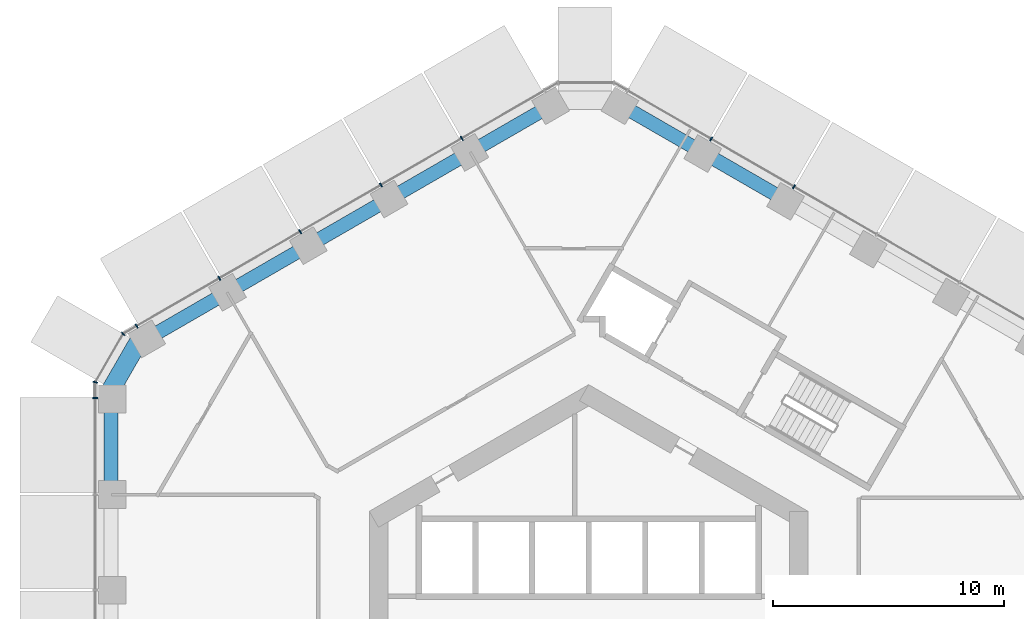
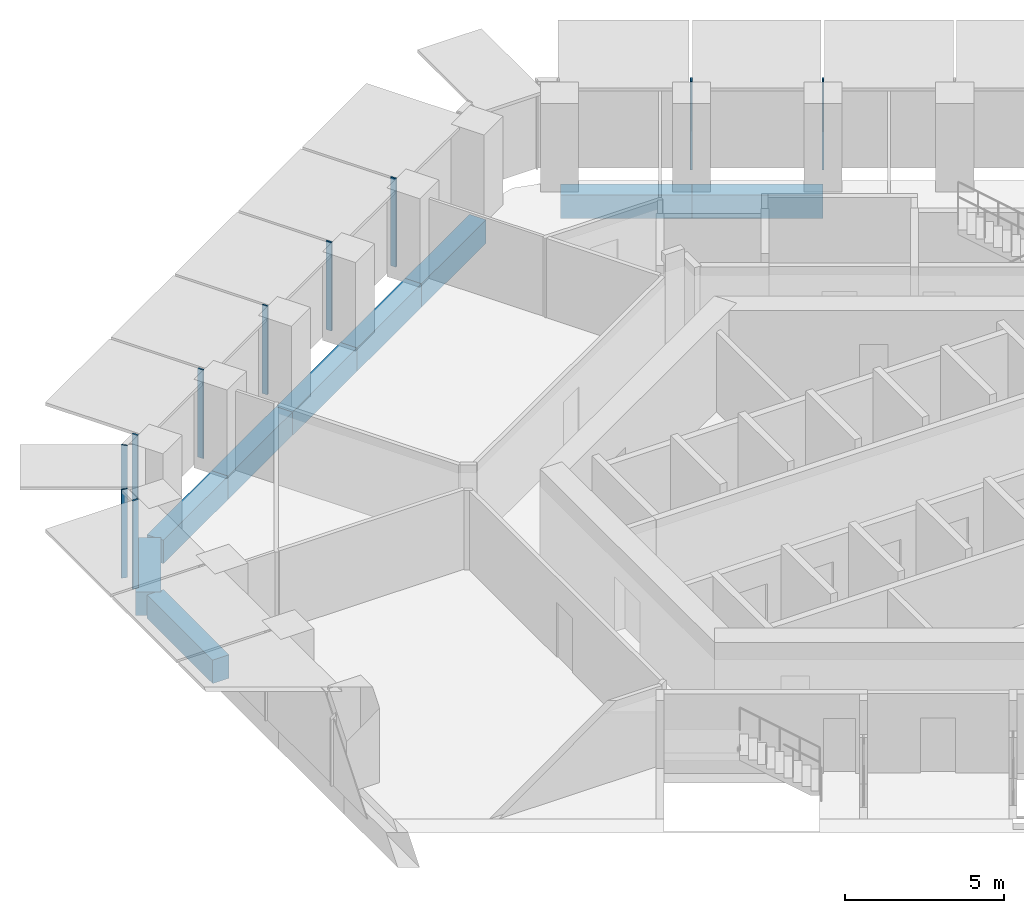
# One storey, part 5 of 19: 10 members, 9 beams, 4 elements without a shape of their own.
"""IFC4 building model written with IfcOpenShell, lengths in metres."""

from ifc_helpers import new_model, si_unit, direction, frame, origin, origin_2d, place, context, subcontext, project, spatial, rectangle, extrude, material, layer, layer_set, material_profile, profile_set, type_object, element, aggregate, save


model = new_model("IFC4")

# Units and contexts
model_context = context("Model", 3, precision=1e-05, world=origin(), true_north=direction((0.0, 1.0)))
body_context = subcontext(model_context, "Body", "Model", "MODEL_VIEW")
ifc_project = project(units=[si_unit("LENGTHUNIT", "METRE"), si_unit("AREAUNIT", "SQUARE_METRE"), si_unit("VOLUMEUNIT", "CUBIC_METRE"), si_unit("PLANEANGLEUNIT", "RADIAN"), si_unit("MASSUNIT", "GRAM", prefix="KILO")], contexts=[model_context])

# Site, building, storey
site_placement = place(None, origin())
site = spatial("IfcSite", under=ifc_project, at=site_placement, CompositionType="ELEMENT")
building_placement = place(site_placement, origin())
building = spatial("IfcBuilding", under=site, at=building_placement, Name="Ayvan Gate Tower", CompositionType="ELEMENT")
storey_placement = place(building_placement, frame((0.0, 0.0, 32.300048828125)))
storey = spatial("IfcBuildingStorey", under=building, at=storey_placement, Name="L07", CompositionType="ELEMENT", Elevation=32.300048828125)

# Beams
ifc_material_1 = material(Name="Concrete C40/50", Category="concrete")
ifc_material_profile_1 = material_profile(ifc_material_1, rectangle(XDim=0.800048828125, YDim=0.89990234375, at=origin_2d()), Name="RC 800x900")
ifc_profile_set_1 = profile_set([ifc_material_profile_1], Name="Concrete C40/50")
beam_type_1 = type_object("IfcBeamType", Name="Corner spandrel beam RC 800x900 C40/50", PredefinedType="BEAM", material=ifc_profile_set_1)
beam_1_placement = place(storey_placement, frame((-19.370361328125, 13.036376953125, -0.800048828125), z_axis=(-0.50002537861, -0.866010750942, 0.0), x_axis=(0.866010750942, -0.50002537861, 0.0)))
element("IfcBeam", 1, at=beam_1_placement, inside=storey, type_object=beam_type_1, Name="SB-L07-18", PredefinedType="BEAM", context=body_context, shape_type="SweptSolid", body=[
    extrude(rectangle(XDim=0.800048828125, YDim=0.89990234375, at=origin_2d()), origin(), (0.0, 0.0, 1.0), 2.999755859375),
])
ifc_material_profile_2 = material_profile(ifc_material_1, rectangle(XDim=0.60009765625, YDim=0.89990234375, at=origin_2d()), Name="RC 600x900")
ifc_profile_set_2 = profile_set([ifc_material_profile_2], Name="Concrete C40/50")
beam_type_2 = type_object("IfcBeamType", Name="Spandrel beam RC 600x900 C40/50", PredefinedType="BEAM", material=ifc_profile_set_2)
for number, where, z_axis, x_axis, name in (
    (2, (8.551025390625, 18.942138671875, -0.800048828125), (-0.866027148792, 0.499996977546, 0.0), (-0.499996977546, -0.866027148792, 0.0), "SB-L07-10"),
    (3, (4.97314453125, 21.0078125, -0.800048828125), (-0.866027148792, 0.499996977546, 0.0), (-0.499996977546, -0.866027148792, 0.0), "SB-L07-11"),
):
    element("IfcBeam", number, at=place(storey_placement, frame(where, z_axis=z_axis, x_axis=x_axis)), inside=storey, type_object=beam_type_2, Name=name, PredefinedType="BEAM", context=body_context, shape_type="SweptSolid", body=[
        extrude(rectangle(XDim=0.60009765625, YDim=0.89990234375, at=origin_2d()), origin(), (0.0, 0.0, 1.0), 4.13134765625),
    ])
for number, where, z_axis, x_axis, name in (
    (4, (-1.604736328125, 23.073486328125, -0.800048828125), (-0.866043353378, -0.499968909104, 0.0), (0.499968909104, -0.866043353378, 0.0), "SB-L07-13"),
    (5, (-5.119873046875, 21.044189453125, -0.800048828125), (-0.866002269112, -0.500040068287, 0.0), (0.500040068287, -0.866002269112, 0.0), "SB-L07-14"),
    (6, (-8.634765625, 19.0146484375, -0.800048828125), (-0.866043353378, -0.499968909104, 0.0), (0.499968909104, -0.866043353378, 0.0), "SB-L07-15"),
    (7, (-12.14990234375, 16.9853515625, -0.800048828125), (-0.866002269112, -0.500040068287, 0.0), (0.500040068287, -0.866002269112, 0.0), "SB-L07-16"),
    (8, (-15.664794921875, 14.955810546875, -0.800048828125), (-0.866043353378, -0.499968909104, 0.0), (0.499968909104, -0.866043353378, 0.0), "SB-L07-17"),
):
    element("IfcBeam", number, at=place(storey_placement, frame(where, z_axis=z_axis, x_axis=x_axis)), inside=storey, type_object=beam_type_2, Name=name, PredefinedType="BEAM", context=body_context, shape_type="SweptSolid", body=[
        extrude(rectangle(XDim=0.60009765625, YDim=0.89990234375, at=origin_2d()), origin(), (0.0, 0.0, 1.0), 4.058837890625),
    ])
beam_2_placement = place(storey_placement, frame((-20.679931640625, 10.328369140625, -0.800048828125), z_axis=(0.0, -1.0, 0.0), x_axis=(1.0, 0.0, 0.0)))
element("IfcBeam", 9, at=beam_2_placement, inside=storey, type_object=beam_type_2, Name="SB-L07-19", PredefinedType="BEAM", context=body_context, shape_type="SweptSolid", body=[
    extrude(rectangle(XDim=0.60009765625, YDim=0.89990234375, at=origin_2d()), origin(), (0.0, 0.0, 1.0), 4.13134765625),
])

# Curtain wall, members
ifc_material_2 = material(Name="Bronze anodised aluminium", Category="aluminium")
ifc_layer_1 = layer(ifc_material_2, 0.199951171875)
ifc_layer_set_1 = layer_set([ifc_layer_1], Name="Bronze anodised aluminium")
curtain_wall_type_1 = type_object("IfcCurtainWallType", Name="Stick curtain wall CW-1", PredefinedType="NOTDEFINED", material=ifc_layer_set_1)
curtain_wall_1_placement = place(storey_placement, origin())
curtain_wall_1 = element("IfcCurtainWall", 10, at=curtain_wall_1_placement, inside=storey, type_object=curtain_wall_type_1, Name="Stick curtain wall CW-1 L07", PredefinedType="NOTDEFINED")
ifc_material_profile_3 = material_profile(ifc_material_2, rectangle(XDim=0.199951171875, YDim=0.06005859375, at=origin_2d()), Name="Stick curtain wall CW-1 mullion 200 x 60")
ifc_profile_set_3 = profile_set([ifc_material_profile_3], Name="Bronze anodised aluminium")
member_type_1 = type_object("IfcMemberType", Name="Stick curtain wall CW-1 mullion 200 x 60", PredefinedType="MULLION", material=ifc_profile_set_3)
member_1_placement = place(storey_placement, frame((-5.495849609375, 21.63525390625, 0.0), z_axis=(0.0, 0.0, 1.0), x_axis=(-0.5, 0.866025403784, 0.0)))
member_1 = element("IfcMember", 11, at=member_1_placement, type_object=member_type_1, Name="CW-1 mullion 2", PredefinedType="MULLION", context=body_context, shape_type="SweptSolid", body=[
    extrude(rectangle(XDim=0.199951171875, YDim=0.06005859375, at=origin_2d()), origin(), (0.0, 0.0, 1.0), 3.39990234375),
])
member_2_placement = place(storey_placement, frame((-8.99365234375, 19.61572265625, 0.0), z_axis=(0.0, 0.0, 1.0), x_axis=(-0.5, 0.866025403784, 0.0)))
member_2 = element("IfcMember", 12, at=member_2_placement, type_object=member_type_1, Name="CW-1 mullion 3", PredefinedType="MULLION", context=body_context, shape_type="SweptSolid", body=[
    extrude(rectangle(XDim=0.199951171875, YDim=0.06005859375, at=origin_2d()), origin(), (0.0, 0.0, 1.0), 3.39990234375),
])
member_3_placement = place(storey_placement, frame((-12.49072265625, 17.5966796875, 0.0), z_axis=(0.0, 0.0, 1.0), x_axis=(-0.5, 0.866025403784, 0.0)))
member_3 = element("IfcMember", 13, at=member_3_placement, type_object=member_type_1, Name="CW-1 mullion 4", PredefinedType="MULLION", context=body_context, shape_type="SweptSolid", body=[
    extrude(rectangle(XDim=0.199951171875, YDim=0.06005859375, at=origin_2d()), origin(), (0.0, 0.0, 1.0), 3.39990234375),
])
member_4_placement = place(storey_placement, frame((-15.988525390625, 15.5771484375, 0.0), z_axis=(0.0, 0.0, 1.0), x_axis=(-0.5, 0.866025403784, 0.0)))
member_4 = element("IfcMember", 14, at=member_4_placement, type_object=member_type_1, Name="CW-1 mullion 5", PredefinedType="MULLION", context=body_context, shape_type="SweptSolid", body=[
    extrude(rectangle(XDim=0.199951171875, YDim=0.06005859375, at=origin_2d()), origin(), (0.0, 0.0, 1.0), 3.39990234375),
])
member_5_placement = place(storey_placement, frame((-19.56982421875, 13.509765625, 0.0), z_axis=(0.0, 0.0, 1.0), x_axis=(-0.5, 0.866025403784, 0.0)))
member_5 = element("IfcMember", 15, at=member_5_placement, type_object=member_type_1, Name="CW-1 mullion 6", PredefinedType="MULLION", context=body_context, shape_type="SweptSolid", body=[
    extrude(rectangle(XDim=0.199951171875, YDim=0.06005859375, at=origin_2d()), origin(), (0.0, 0.0, 1.0), 3.39990234375),
])
aggregate(curtain_wall_1, [member_1, member_2, member_3, member_4, member_5])

# Curtain wall, member
curtain_wall_2_placement = place(storey_placement, origin())
curtain_wall_2 = element("IfcCurtainWall", 16, at=curtain_wall_2_placement, inside=storey, type_object=curtain_wall_type_1, Name="Stick curtain wall CW-1 L07", PredefinedType="NOTDEFINED")
member_6_placement = place(storey_placement, frame((-21.365966796875, 10.398681640625, 0.0), z_axis=(0.0, 0.0, 1.0), x_axis=(-1.0, 0.0, 0.0)))
member_6 = element("IfcMember", 17, at=member_6_placement, type_object=member_type_1, Name="CW-1 mullion 1", PredefinedType="MULLION", context=body_context, shape_type="SweptSolid", body=[
    extrude(rectangle(XDim=0.199951171875, YDim=0.06005859375, at=origin_2d()), origin(), (0.0, 0.0, 1.0), 3.39990234375),
])
aggregate(curtain_wall_2, [member_6])

# Curtain wall, members
curtain_wall_3_placement = place(storey_placement, origin())
curtain_wall_3 = element("IfcCurtainWall", 18, at=curtain_wall_3_placement, inside=storey, type_object=curtain_wall_type_1, Name="Stick curtain wall CW-1 L07", PredefinedType="NOTDEFINED")
member_7_placement = place(storey_placement, frame((8.889892578125, 19.53857421875, 0.0), z_axis=(0.0, 0.0, 1.0), x_axis=(0.5, 0.866025403784, 0.0)))
member_7 = element("IfcMember", 19, at=member_7_placement, type_object=member_type_1, Name="CW-1 mullion 4", PredefinedType="MULLION", context=body_context, shape_type="SweptSolid", body=[
    extrude(rectangle(XDim=0.199951171875, YDim=0.06005859375, at=origin_2d()), origin(), (0.0, 0.0, 1.0), 3.39990234375),
])
member_8_placement = place(storey_placement, frame((5.302978515625, 21.609619140625, 0.0), z_axis=(0.0, 0.0, 1.0), x_axis=(0.5, 0.866025403784, 0.0)))
member_8 = element("IfcMember", 20, at=member_8_placement, type_object=member_type_1, Name="CW-1 mullion 5", PredefinedType="MULLION", context=body_context, shape_type="SweptSolid", body=[
    extrude(rectangle(XDim=0.199951171875, YDim=0.06005859375, at=origin_2d()), origin(), (0.0, 0.0, 1.0), 3.39990234375),
])
aggregate(curtain_wall_3, [member_7, member_8])

ifc_layer_2 = layer(ifc_material_2, 0.199951171875)
ifc_layer_set_2 = layer_set([ifc_layer_2], Name="Bronze anodised aluminium")
curtain_wall_type_2 = type_object("IfcCurtainWallType", Name="Stick curtain wall CW-6", PredefinedType="NOTDEFINED", material=ifc_layer_set_2)
curtain_wall_4_placement = place(storey_placement, origin())
curtain_wall_4 = element("IfcCurtainWall", 21, at=curtain_wall_4_placement, inside=storey, type_object=curtain_wall_type_2, Name="Stick curtain wall CW-6 L07", PredefinedType="NOTDEFINED")
ifc_material_profile_4 = material_profile(ifc_material_2, rectangle(XDim=0.199951171875, YDim=0.050048828125, at=origin_2d()), Name="Stick curtain wall CW-6 mullion 200 x 50")
ifc_profile_set_4 = profile_set([ifc_material_profile_4], Name="Bronze anodised aluminium")
member_type_2 = type_object("IfcMemberType", Name="Stick curtain wall CW-6 mullion 200 x 50", PredefinedType="MULLION", material=ifc_profile_set_4)
member_9_placement = place(storey_placement, frame((-20.15869140625, 13.169677734375, 0.0), z_axis=(0.0, 0.0, 1.0), x_axis=(-0.707106781187, 0.707106781187, 0.0)))
member_9 = element("IfcMember", 22, at=member_9_placement, type_object=member_type_2, Name="CW-6 mullion 2", PredefinedType="MULLION", context=body_context, shape_type="SweptSolid", body=[
    extrude(rectangle(XDim=0.199951171875, YDim=0.050048828125, at=origin_2d()), origin(), (0.0, 0.0, 1.0), 3.39990234375),
])
member_10_placement = place(storey_placement, frame((-21.365966796875, 11.07861328125, 0.0), z_axis=(0.0, 0.0, 1.0), x_axis=(-0.965925826289, 0.258819045103, 0.0)))
member_10 = element("IfcMember", 23, at=member_10_placement, type_object=member_type_2, Name="CW-6 mullion 3", PredefinedType="MULLION", context=body_context, shape_type="SweptSolid", body=[
    extrude(rectangle(XDim=0.199951171875, YDim=0.050048828125, at=origin_2d()), origin(), (0.0, 0.0, 1.0), 3.39990234375),
])
aggregate(curtain_wall_4, [member_9, member_10])

save(model, "model.ifc")
